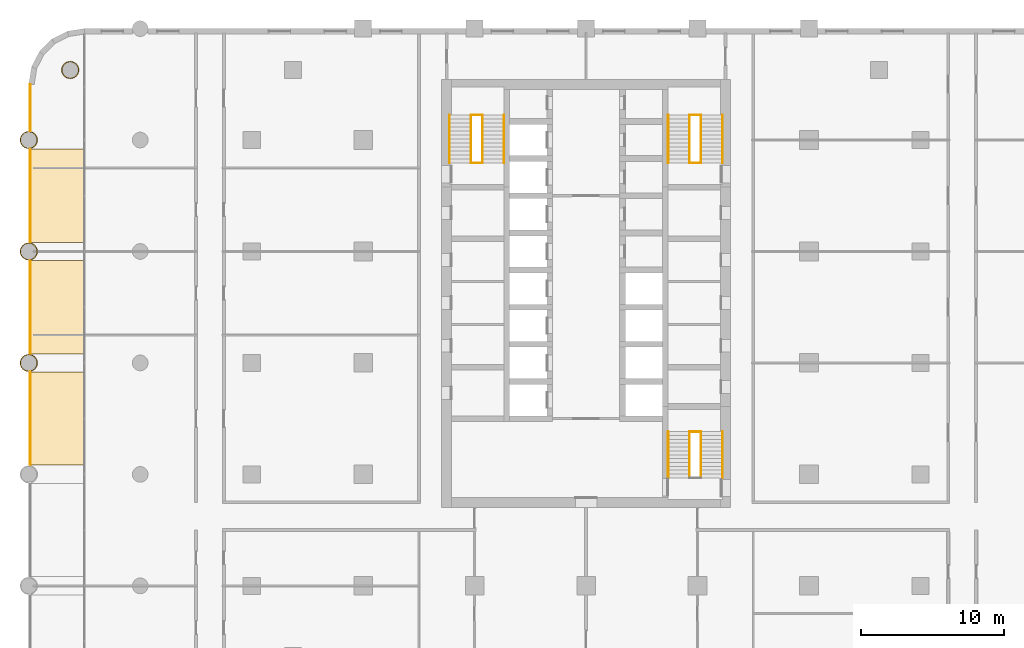
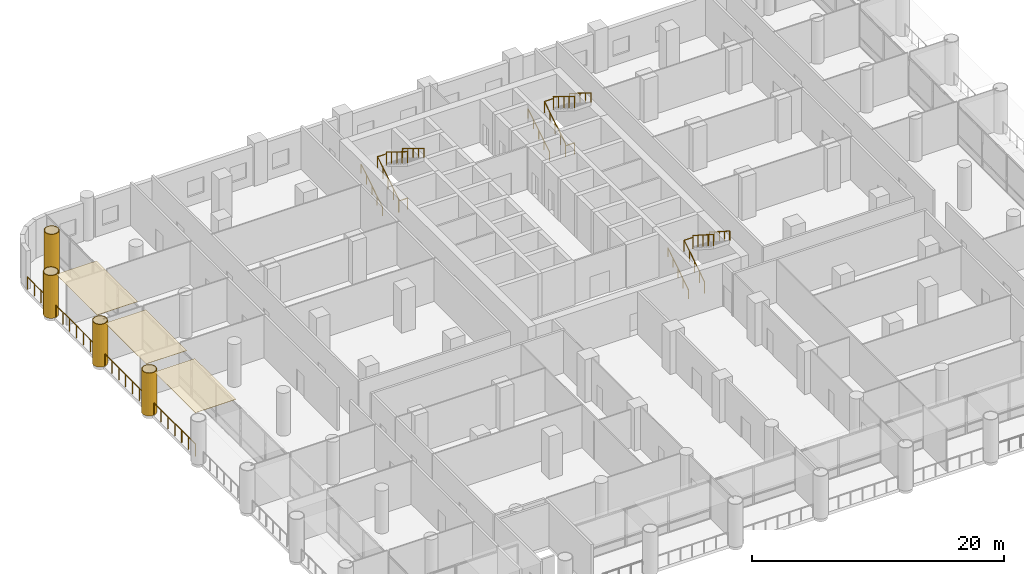
# One storey, part 21 of 23: 21 railings, 7 coverings, 3 elements without a shape of their own.
"""IFC4 building model written with IfcOpenShell, lengths in metres."""

from ifc_helpers import new_model, si_unit, direction, frame, origin, origin_2d, place, context, subcontext, project, spatial, polyline, rectangle, circle, outline, extrude, material, layer, layer_set, type_object, element, aggregate, save


model = new_model("IFC4")

# Units and contexts
model_context = context("Model", 3, precision=1e-05, world=origin(), true_north=direction((0.0, 1.0)))
body_context = subcontext(model_context, "Body", "Model", "MODEL_VIEW")
ifc_project = project(units=[si_unit("LENGTHUNIT", "METRE"), si_unit("AREAUNIT", "SQUARE_METRE"), si_unit("VOLUMEUNIT", "CUBIC_METRE"), si_unit("PLANEANGLEUNIT", "RADIAN"), si_unit("MASSUNIT", "GRAM", prefix="KILO")], contexts=[model_context])

# Site, building, storey
site_placement = place(None, origin())
site = spatial("IfcSite", under=ifc_project, at=site_placement, CompositionType="ELEMENT")
building_placement = place(site_placement, origin())
building = spatial("IfcBuilding", under=site, at=building_placement, Name="Ludao Terraces", CompositionType="ELEMENT")
storey_placement = place(building_placement, frame((0.0, 0.0, 10.5)))
storey = spatial("IfcBuildingStorey", under=building, at=storey_placement, Name="L02", CompositionType="ELEMENT", Elevation=10.5)

# Coverings
ifc_material_1 = material(Name="Stone-effect cement board ceiling lining", Category="masonry")
ifc_layer_1 = layer(ifc_material_1, 0.030029296875)
ifc_layer_set_1 = layer_set([ifc_layer_1], Name="ENV Arcade ceiling lining 30")
covering_type_1 = type_object("IfcCoveringType", Name="ENV Arcade ceiling lining 30", PredefinedType="CEILING", material=ifc_layer_set_1)
for number, where, z_axis, x_axis, name in (
    (1, (47.9599609375, 61.10009765625, 4.169921875), (0.0, 0.0, 1.0), (1.0, 0.0, 0.0), "CL-L02-W4"),
    (2, (47.9599609375, 68.89990234375, 4.169921875), (0.0, 0.0, 1.0), (1.0, 0.0, 0.0), "CL-L02-W5"),
    (3, (47.9599609375, 76.699951171875, 4.169921875), (0.0, 0.0, 1.0), (1.0, 0.0, 0.0), "CL-L02-W6"),
):
    element("IfcCovering", number, at=place(storey_placement, frame(where, z_axis=z_axis, x_axis=x_axis)), inside=storey, type_object=covering_type_1, Name=name, PredefinedType="CEILING", context=body_context, shape_type="SweptSolid", body=[
        extrude(rectangle(XDim=3.719970703125, YDim=6.52001953125, at=origin_2d()), origin(), (0.0, 0.0, 1.0), 0.030029296875),
    ])

# Railings
ifc_material_2 = material(Name="Steel Q235", Category="steel")
railing_type_1 = type_object("IfcRailingType", Name="ENV Open-edge guard 1200", PredefinedType="GUARDRAIL", material=ifc_material_2)
for number, where, name in (
    (4, (46.10009765625, 57.820068359375, 0.0), "Guard L02 W5"),
    (5, (46.10009765625, 65.6201171875, 0.0), "Guard L02 W6"),
):
    element("IfcRailing", number, at=place(storey_placement, frame(where)), inside=storey, type_object=railing_type_1, Name=name, PredefinedType="GUARDRAIL", context=body_context, shape_type="SweptSolid", body=[
        extrude(circle(Radius=0.02392578125, at=origin_2d()), frame((0.0, 0.0, 1.17578125), z_axis=(0.0, 1.0, 0.0), x_axis=(-1.0, 0.0, 0.0)), (0.0, 0.0, 1.0), 6.559814453125),
        extrude(circle(Radius=0.02099609375, at=origin_2d()), origin(), (0.0, 0.0, 1.0), 1.15185546875),
        extrude(circle(Radius=0.02099609375, at=origin_2d()), frame((0.0, 1.09326171875, 0.0)), (0.0, 0.0, 1.0), 1.15185546875),
        extrude(circle(Radius=0.02099609375, at=origin_2d()), frame((0.0, 2.1865234375, 0.0)), (0.0, 0.0, 1.0), 1.15185546875),
        extrude(circle(Radius=0.02099609375, at=origin_2d()), frame((0.0, 3.27978515625, 0.0)), (0.0, 0.0, 1.0), 1.15185546875),
        extrude(circle(Radius=0.02099609375, at=origin_2d()), frame((0.0, 4.373291015625, 0.0)), (0.0, 0.0, 1.0), 1.15185546875),
        extrude(circle(Radius=0.02099609375, at=origin_2d()), frame((0.0, 5.466552734375, 0.0)), (0.0, 0.0, 1.0), 1.15185546875),
        extrude(circle(Radius=0.02099609375, at=origin_2d()), frame((0.0, 6.559814453125, 0.0)), (0.0, 0.0, 1.0), 1.15185546875),
    ])
railing_1_placement = place(storey_placement, frame((46.10009765625, 73.419921875, 0.0)))
element("IfcRailing", 6, at=railing_1_placement, inside=storey, type_object=railing_type_1, Name="Guard L02 W7", PredefinedType="GUARDRAIL", context=body_context, shape_type="SweptSolid", body=[
    extrude(circle(Radius=0.02392578125, at=origin_2d()), frame((0.0, 0.0, 1.17578125), z_axis=(0.0, 1.0, 0.0), x_axis=(-1.0, 0.0, 0.0)), (0.0, 0.0, 1.0), 6.56005859375),
    extrude(circle(Radius=0.02099609375, at=origin_2d()), origin(), (0.0, 0.0, 1.0), 1.15185546875),
    extrude(circle(Radius=0.02099609375, at=origin_2d()), frame((0.0, 1.09326171875, 0.0)), (0.0, 0.0, 1.0), 1.15185546875),
    extrude(circle(Radius=0.02099609375, at=origin_2d()), frame((0.0, 2.186767578125, 0.0)), (0.0, 0.0, 1.0), 1.15185546875),
    extrude(circle(Radius=0.02099609375, at=origin_2d()), frame((0.0, 3.280029296875, 0.0)), (0.0, 0.0, 1.0), 1.15185546875),
    extrude(circle(Radius=0.02099609375, at=origin_2d()), frame((0.0, 4.373291015625, 0.0)), (0.0, 0.0, 1.0), 1.15185546875),
    extrude(circle(Radius=0.02099609375, at=origin_2d()), frame((0.0, 5.466796875, 0.0)), (0.0, 0.0, 1.0), 1.15185546875),
    extrude(circle(Radius=0.02099609375, at=origin_2d()), frame((0.0, 6.56005859375, 0.0)), (0.0, 0.0, 1.0), 1.15185546875),
])
railing_2_placement = place(storey_placement, frame((46.10009765625, 81.219970703125, 0.0)))
element("IfcRailing", 7, at=railing_2_placement, inside=storey, type_object=railing_type_1, Name="Guard L02 W8", PredefinedType="GUARDRAIL", context=body_context, shape_type="SweptSolid", body=[
    extrude(circle(Radius=0.02392578125, at=origin_2d()), frame((0.0, 0.0, 1.17578125), z_axis=(0.0, 1.0, 0.0), x_axis=(-1.0, 0.0, 0.0)), (0.0, 0.0, 1.0), 3.280029296875),
    extrude(circle(Radius=0.02099609375, at=origin_2d()), origin(), (0.0, 0.0, 1.0), 1.15185546875),
    extrude(circle(Radius=0.02099609375, at=origin_2d()), frame((0.0, 1.09326171875, 0.0)), (0.0, 0.0, 1.0), 1.15185546875),
    extrude(circle(Radius=0.02099609375, at=origin_2d()), frame((0.0, 2.186767578125, 0.0)), (0.0, 0.0, 1.0), 1.15185546875),
    extrude(circle(Radius=0.02099609375, at=origin_2d()), frame((0.0, 3.280029296875, 0.0)), (0.0, 0.0, 1.0), 1.15185546875),
])

# Coverings
ifc_material_3 = material(Name="Granite cladding", Category="masonry")
ifc_layer_2 = layer(ifc_material_3, 0.06005859375)
ifc_layer_set_2 = layer_set([ifc_layer_2], Name="ENV Stone column casing 60")
covering_type_2 = type_object("IfcCoveringType", Name="ENV Stone column casing 60", PredefinedType="CLADDING", material=ifc_layer_set_2)
covering_1_placement = place(storey_placement, origin())
element("IfcCovering", 8, at=covering_1_placement, inside=storey, type_object=covering_type_2, Name="CC-L02-G-156x0234", PredefinedType="CLADDING", context=body_context, shape_type="SweptSolid", body=[
    extrude(outline(polyline([(46.61474609375, 65.0), (46.59375, 65.1591796875), (46.532470703125, 65.307373046875), (46.4345703125, 65.4345703125), (46.307373046875, 65.532470703125), (46.1591796875, 65.59375), (46.0, 65.61474609375), (45.8408203125, 65.59375), (45.692626953125, 65.532470703125), (45.5654296875, 65.4345703125), (45.467529296875, 65.307373046875), (45.40625, 65.1591796875), (45.38525390625, 65.0), (45.40625, 64.8408203125), (45.467529296875, 64.692626953125), (45.5654296875, 64.5654296875), (45.692626953125, 64.467529296875), (45.8408203125, 64.40625), (46.0, 64.38525390625), (46.1591796875, 64.40625), (46.307373046875, 64.467529296875), (46.4345703125, 64.5654296875), (46.532470703125, 64.692626953125), (46.59375, 64.8408203125), (46.61474609375, 65.0)]), holes=[polyline([(46.535888671875, 64.8564453125), (46.48046875, 64.72265625), (46.392333984375, 64.607666015625), (46.27734375, 64.51953125), (46.1435546875, 64.464111328125), (46.0, 64.4453125), (45.8564453125, 64.464111328125), (45.72265625, 64.51953125), (45.607666015625, 64.607666015625), (45.51953125, 64.72265625), (45.464111328125, 64.8564453125), (45.4453125, 65.0), (45.464111328125, 65.1435546875), (45.51953125, 65.27734375), (45.607666015625, 65.392333984375), (45.72265625, 65.48046875), (45.8564453125, 65.535888671875), (46.0, 65.5546875), (46.1435546875, 65.535888671875), (46.27734375, 65.48046875), (46.392333984375, 65.392333984375), (46.48046875, 65.27734375), (46.535888671875, 65.1435546875), (46.5546875, 65.0), (46.535888671875, 64.8564453125)])]), origin(), (0.0, 0.0, 1.0), 4.14990234375),
])
covering_2_placement = place(storey_placement, origin())
element("IfcCovering", 9, at=covering_2_placement, inside=storey, type_object=covering_type_2, Name="CC-L02-G-156x0312", PredefinedType="CLADDING", context=body_context, shape_type="SweptSolid", body=[
    extrude(outline(polyline([(46.61474609375, 72.800048828125), (46.59375, 72.959228515625), (46.532470703125, 73.107421875), (46.4345703125, 73.234619140625), (46.307373046875, 73.332275390625), (46.1591796875, 73.393798828125), (46.0, 73.414794921875), (45.8408203125, 73.393798828125), (45.692626953125, 73.332275390625), (45.5654296875, 73.234619140625), (45.467529296875, 73.107421875), (45.40625, 72.959228515625), (45.38525390625, 72.800048828125), (45.40625, 72.640869140625), (45.467529296875, 72.49267578125), (45.5654296875, 72.365234375), (45.692626953125, 72.267578125), (45.8408203125, 72.206298828125), (46.0, 72.185302734375), (46.1591796875, 72.206298828125), (46.307373046875, 72.267578125), (46.4345703125, 72.365234375), (46.532470703125, 72.49267578125), (46.59375, 72.640869140625), (46.61474609375, 72.800048828125)]), holes=[polyline([(46.535888671875, 72.656494140625), (46.48046875, 72.522705078125), (46.392333984375, 72.40771484375), (46.27734375, 72.319580078125), (46.1435546875, 72.26416015625), (46.0, 72.245361328125), (45.8564453125, 72.26416015625), (45.72265625, 72.319580078125), (45.607666015625, 72.40771484375), (45.51953125, 72.522705078125), (45.464111328125, 72.656494140625), (45.4453125, 72.800048828125), (45.464111328125, 72.943603515625), (45.51953125, 73.077392578125), (45.607666015625, 73.1923828125), (45.72265625, 73.280517578125), (45.8564453125, 73.3359375), (46.0, 73.354736328125), (46.1435546875, 73.3359375), (46.27734375, 73.280517578125), (46.392333984375, 73.1923828125), (46.48046875, 73.077392578125), (46.535888671875, 72.943603515625), (46.5546875, 72.800048828125), (46.535888671875, 72.656494140625)])]), origin(), (0.0, 0.0, 1.0), 4.14990234375),
])
covering_3_placement = place(storey_placement, origin())
element("IfcCovering", 10, at=covering_3_placement, inside=storey, type_object=covering_type_2, Name="CC-L02-G-156x0390", PredefinedType="CLADDING", context=body_context, shape_type="SweptSolid", body=[
    extrude(outline(polyline([(46.61474609375, 80.60009765625), (46.59375, 80.759033203125), (46.532470703125, 80.907470703125), (46.4345703125, 81.03466796875), (46.307373046875, 81.13232421875), (46.1591796875, 81.19384765625), (46.0, 81.21484375), (45.8408203125, 81.19384765625), (45.692626953125, 81.13232421875), (45.5654296875, 81.03466796875), (45.467529296875, 80.907470703125), (45.40625, 80.759033203125), (45.38525390625, 80.60009765625), (45.40625, 80.44091796875), (45.467529296875, 80.292724609375), (45.5654296875, 80.165283203125), (45.692626953125, 80.067626953125), (45.8408203125, 80.006103515625), (46.0, 79.9853515625), (46.1591796875, 80.006103515625), (46.307373046875, 80.067626953125), (46.4345703125, 80.165283203125), (46.532470703125, 80.292724609375), (46.59375, 80.44091796875), (46.61474609375, 80.60009765625)]), holes=[polyline([(46.535888671875, 80.45654296875), (46.48046875, 80.322509765625), (46.392333984375, 80.207763671875), (46.27734375, 80.11962890625), (46.1435546875, 80.064208984375), (46.0, 80.045166015625), (45.8564453125, 80.064208984375), (45.72265625, 80.11962890625), (45.607666015625, 80.207763671875), (45.51953125, 80.322509765625), (45.464111328125, 80.45654296875), (45.4453125, 80.60009765625), (45.464111328125, 80.74365234375), (45.51953125, 80.87744140625), (45.607666015625, 80.9921875), (45.72265625, 81.080322265625), (45.8564453125, 81.1357421875), (46.0, 81.15478515625), (46.1435546875, 81.1357421875), (46.27734375, 81.080322265625), (46.392333984375, 80.9921875), (46.48046875, 80.87744140625), (46.535888671875, 80.74365234375), (46.5546875, 80.60009765625), (46.535888671875, 80.45654296875)])]), origin(), (0.0, 0.0, 1.0), 4.14990234375),
])
covering_4_placement = place(storey_placement, origin())
element("IfcCovering", 11, at=covering_4_placement, inside=storey, type_object=covering_type_2, Name="CC-L02-G-127x0439", PredefinedType="CLADDING", context=body_context, shape_type="SweptSolid", body=[
    extrude(outline(polyline([(49.5146484375, 85.5), (49.493896484375, 85.6591796875), (49.432373046875, 85.807373046875), (49.334716796875, 85.9345703125), (49.207275390625, 86.032470703125), (49.05908203125, 86.09375), (48.89990234375, 86.11474609375), (48.740966796875, 86.09375), (48.592529296875, 86.032470703125), (48.46533203125, 85.9345703125), (48.36767578125, 85.807373046875), (48.30615234375, 85.6591796875), (48.28515625, 85.5), (48.30615234375, 85.3408203125), (48.36767578125, 85.192626953125), (48.46533203125, 85.0654296875), (48.592529296875, 84.967529296875), (48.740966796875, 84.90625), (48.89990234375, 84.88525390625), (49.05908203125, 84.90625), (49.207275390625, 84.967529296875), (49.334716796875, 85.0654296875), (49.432373046875, 85.192626953125), (49.493896484375, 85.3408203125), (49.5146484375, 85.5)]), holes=[polyline([(49.435791015625, 85.3564453125), (49.38037109375, 85.22265625), (49.292236328125, 85.107666015625), (49.177490234375, 85.01953125), (49.04345703125, 84.964111328125), (48.89990234375, 84.9453125), (48.75634765625, 84.964111328125), (48.62255859375, 85.01953125), (48.5078125, 85.107666015625), (48.419677734375, 85.22265625), (48.3642578125, 85.3564453125), (48.34521484375, 85.5), (48.3642578125, 85.6435546875), (48.419677734375, 85.77734375), (48.5078125, 85.892333984375), (48.62255859375, 85.98046875), (48.75634765625, 86.035888671875), (48.89990234375, 86.0546875), (49.04345703125, 86.035888671875), (49.177490234375, 85.98046875), (49.292236328125, 85.892333984375), (49.38037109375, 85.77734375), (49.435791015625, 85.6435546875), (49.454833984375, 85.5), (49.435791015625, 85.3564453125)])]), origin(), (0.0, 0.0, 1.0), 4.14990234375),
])

# Stair, railings
ifc_material_4 = material(Name="Concrete C40", Category="concrete")
stair_type = type_object("IfcStairType", Name="INT Stair", PredefinedType="HALF_TURN_STAIR", material=ifc_material_4)
stair_1_placement = place(storey_placement, origin())
stair_1 = element("IfcStair", 12, at=stair_1_placement, inside=storey, type_object=stair_type, Name="EXIT STAIR 1", PredefinedType="HALF_TURN_STAIR")
ifc_material_5 = material(Name="Stainless steel 304", Category="steel")
railing_type_2 = type_object("IfcRailingType", Name="INT Stair guard 1100", PredefinedType="GUARDRAIL", material=ifc_material_5)
railing_3_placement = place(storey_placement, frame((76.949951171875, 79.0, 0.173095703125)))
railing_3 = element("IfcRailing", 13, at=railing_3_placement, type_object=railing_type_2, Name="ST-L02-S1-R1G", PredefinedType="GUARDRAIL", context=body_context, shape_type="SweptSolid", body=[
    extrude(circle(Radius=0.02392578125, at=origin_2d()), frame((0.0, 0.0, 1.076171875), z_axis=(0.0, 0.850623216509, 0.525775754039), x_axis=(-1.0, 0.0, 0.0)), (0.0, 0.0, 1.0), 3.9501953125),
    extrude(circle(Radius=0.02099609375, at=origin_2d()), origin(), (0.0, 0.0, 1.0), 1.052001953125),
    extrude(circle(Radius=0.02099609375, at=origin_2d()), frame((0.0, 0.840087890625, 0.519287109375)), (0.0, 0.0, 1.0), 1.052001953125),
    extrude(circle(Radius=0.02099609375, at=origin_2d()), frame((0.0, 1.68017578125, 1.03857421875)), (0.0, 0.0, 1.0), 1.052001953125),
    extrude(circle(Radius=0.02099609375, at=origin_2d()), frame((0.0, 2.52001953125, 1.5576171875)), (0.0, 0.0, 1.0), 1.052001953125),
    extrude(circle(Radius=0.02099609375, at=origin_2d()), frame((0.0, 3.360107421875, 2.076904296875)), (0.0, 0.0, 1.0), 1.052001953125),
])
railing_4_placement = place(storey_placement, frame((77.75, 82.360107421875, 2.423095703125)))
railing_4 = element("IfcRailing", 14, at=railing_4_placement, type_object=railing_type_2, Name="ST-L02-S1-R2G", PredefinedType="GUARDRAIL", context=body_context, shape_type="SweptSolid", body=[
    extrude(circle(Radius=0.02392578125, at=origin_2d()), frame((0.0, 0.0, 1.076171875), z_axis=(0.0, -0.850623216509, 0.525775754039), x_axis=(1.0, 0.0, 0.0)), (0.0, 0.0, 1.0), 3.9501953125),
    extrude(circle(Radius=0.02099609375, at=origin_2d()), origin(), (0.0, 0.0, 1.0), 1.052001953125),
    extrude(circle(Radius=0.02099609375, at=origin_2d()), frame((0.0, -0.840087890625, 0.519287109375)), (0.0, 0.0, 1.0), 1.052001953125),
    extrude(circle(Radius=0.02099609375, at=origin_2d()), frame((0.0, -1.68017578125, 1.03857421875)), (0.0, 0.0, 1.0), 1.052001953125),
    extrude(circle(Radius=0.02099609375, at=origin_2d()), frame((0.0, -2.52001953125, 1.5576171875)), (0.0, 0.0, 1.0), 1.052001953125),
    extrude(circle(Radius=0.02099609375, at=origin_2d()), frame((0.0, -3.360107421875, 2.076904296875)), (0.0, 0.0, 1.0), 1.052001953125),
])
railing_5_placement = place(storey_placement, frame((76.949951171875, 82.360107421875, 2.25)))
railing_5 = element("IfcRailing", 15, at=railing_5_placement, type_object=railing_type_2, Name="ST-L02-S1-E1G", PredefinedType="GUARDRAIL", context=body_context, shape_type="SweptSolid", body=[
    extrude(circle(Radius=0.02392578125, at=origin_2d()), frame((0.0, 0.0, 1.076171875), z_axis=(1.0, 0.0, 0.0), x_axis=(0.0, 1.0, 0.0)), (0.0, 0.0, 1.0), 0.800048828125),
    extrude(circle(Radius=0.02099609375, at=origin_2d()), origin(), (0.0, 0.0, 1.0), 1.052001953125),
    extrude(circle(Radius=0.02099609375, at=origin_2d()), frame((0.800048828125, 0.0, 0.0)), (0.0, 0.0, 1.0), 1.052001953125),
])
railing_6_placement = place(storey_placement, frame((76.949951171875, 79.0, 0.0)))
railing_6 = element("IfcRailing", 16, at=railing_6_placement, type_object=railing_type_2, Name="ST-L02-S1-E2G", PredefinedType="GUARDRAIL", context=body_context, shape_type="SweptSolid", body=[
    extrude(circle(Radius=0.02392578125, at=origin_2d()), frame((0.0, 0.0, 1.076171875), z_axis=(1.0, 0.0, 0.0), x_axis=(0.0, 1.0, 0.0)), (0.0, 0.0, 1.0), 0.800048828125),
    extrude(circle(Radius=0.02099609375, at=origin_2d()), origin(), (0.0, 0.0, 1.0), 1.052001953125),
    extrude(circle(Radius=0.02099609375, at=origin_2d()), frame((0.800048828125, 0.0, 0.0)), (0.0, 0.0, 1.0), 1.052001953125),
])

stair_2_placement = place(storey_placement, origin())
stair_2 = element("IfcStair", 17, at=stair_2_placement, inside=storey, type_object=stair_type, Name="EXIT STAIR 2", PredefinedType="HALF_TURN_STAIR")
railing_7_placement = place(storey_placement, frame((92.25, 79.0, 0.173095703125)))
railing_7 = element("IfcRailing", 18, at=railing_7_placement, type_object=railing_type_2, Name="ST-L02-S2-R1G", PredefinedType="GUARDRAIL", context=body_context, shape_type="SweptSolid", body=[
    extrude(circle(Radius=0.02392578125, at=origin_2d()), frame((0.0, 0.0, 1.076171875), z_axis=(0.0, 0.850623216509, 0.525775754039), x_axis=(-1.0, 0.0, 0.0)), (0.0, 0.0, 1.0), 3.9501953125),
    extrude(circle(Radius=0.02099609375, at=origin_2d()), origin(), (0.0, 0.0, 1.0), 1.052001953125),
    extrude(circle(Radius=0.02099609375, at=origin_2d()), frame((0.0, 0.840087890625, 0.519287109375)), (0.0, 0.0, 1.0), 1.052001953125),
    extrude(circle(Radius=0.02099609375, at=origin_2d()), frame((0.0, 1.68017578125, 1.03857421875)), (0.0, 0.0, 1.0), 1.052001953125),
    extrude(circle(Radius=0.02099609375, at=origin_2d()), frame((0.0, 2.52001953125, 1.5576171875)), (0.0, 0.0, 1.0), 1.052001953125),
    extrude(circle(Radius=0.02099609375, at=origin_2d()), frame((0.0, 3.360107421875, 2.076904296875)), (0.0, 0.0, 1.0), 1.052001953125),
])
railing_8_placement = place(storey_placement, frame((93.050048828125, 82.360107421875, 2.423095703125)))
railing_8 = element("IfcRailing", 19, at=railing_8_placement, type_object=railing_type_2, Name="ST-L02-S2-R2G", PredefinedType="GUARDRAIL", context=body_context, shape_type="SweptSolid", body=[
    extrude(circle(Radius=0.02392578125, at=origin_2d()), frame((0.0, 0.0, 1.076171875), z_axis=(0.0, -0.850623216509, 0.525775754039), x_axis=(1.0, 0.0, 0.0)), (0.0, 0.0, 1.0), 3.9501953125),
    extrude(circle(Radius=0.02099609375, at=origin_2d()), origin(), (0.0, 0.0, 1.0), 1.052001953125),
    extrude(circle(Radius=0.02099609375, at=origin_2d()), frame((0.0, -0.840087890625, 0.519287109375)), (0.0, 0.0, 1.0), 1.052001953125),
    extrude(circle(Radius=0.02099609375, at=origin_2d()), frame((0.0, -1.68017578125, 1.03857421875)), (0.0, 0.0, 1.0), 1.052001953125),
    extrude(circle(Radius=0.02099609375, at=origin_2d()), frame((0.0, -2.52001953125, 1.5576171875)), (0.0, 0.0, 1.0), 1.052001953125),
    extrude(circle(Radius=0.02099609375, at=origin_2d()), frame((0.0, -3.360107421875, 2.076904296875)), (0.0, 0.0, 1.0), 1.052001953125),
])
railing_9_placement = place(storey_placement, frame((92.25, 82.360107421875, 2.25)))
railing_9 = element("IfcRailing", 20, at=railing_9_placement, type_object=railing_type_2, Name="ST-L02-S2-E1G", PredefinedType="GUARDRAIL", context=body_context, shape_type="SweptSolid", body=[
    extrude(circle(Radius=0.02392578125, at=origin_2d()), frame((0.0, 0.0, 1.076171875), z_axis=(1.0, 0.0, 0.0), x_axis=(0.0, 1.0, 0.0)), (0.0, 0.0, 1.0), 0.800048828125),
    extrude(circle(Radius=0.02099609375, at=origin_2d()), origin(), (0.0, 0.0, 1.0), 1.052001953125),
    extrude(circle(Radius=0.02099609375, at=origin_2d()), frame((0.800048828125, 0.0, 0.0)), (0.0, 0.0, 1.0), 1.052001953125),
])
railing_10_placement = place(storey_placement, frame((92.25, 79.0, 0.0)))
railing_10 = element("IfcRailing", 21, at=railing_10_placement, type_object=railing_type_2, Name="ST-L02-S2-E2G", PredefinedType="GUARDRAIL", context=body_context, shape_type="SweptSolid", body=[
    extrude(circle(Radius=0.02392578125, at=origin_2d()), frame((0.0, 0.0, 1.076171875), z_axis=(1.0, 0.0, 0.0), x_axis=(0.0, 1.0, 0.0)), (0.0, 0.0, 1.0), 0.800048828125),
    extrude(circle(Radius=0.02099609375, at=origin_2d()), origin(), (0.0, 0.0, 1.0), 1.052001953125),
    extrude(circle(Radius=0.02099609375, at=origin_2d()), frame((0.800048828125, 0.0, 0.0)), (0.0, 0.0, 1.0), 1.052001953125),
])

stair_3_placement = place(storey_placement, origin())
stair_3 = element("IfcStair", 22, at=stair_3_placement, inside=storey, type_object=stair_type, Name="EXIT STAIR 3", PredefinedType="HALF_TURN_STAIR")
railing_11_placement = place(storey_placement, frame((92.25, 56.949951171875, 0.173095703125)))
railing_11 = element("IfcRailing", 23, at=railing_11_placement, type_object=railing_type_2, Name="ST-L02-S3-R1G", PredefinedType="GUARDRAIL", context=body_context, shape_type="SweptSolid", body=[
    extrude(circle(Radius=0.02392578125, at=origin_2d()), frame((0.0, 0.0, 1.076171875), z_axis=(0.0, 0.841880617004, 0.539663808971), x_axis=(-1.0, 0.0, 0.0)), (0.0, 0.0, 1.0), 3.8486328125),
    extrude(circle(Radius=0.02099609375, at=origin_2d()), origin(), (0.0, 0.0, 1.0), 1.052001953125),
    extrude(circle(Radius=0.02099609375, at=origin_2d()), frame((0.0, 0.81005859375, 0.519287109375)), (0.0, 0.0, 1.0), 1.052001953125),
    extrude(circle(Radius=0.02099609375, at=origin_2d()), frame((0.0, 1.6201171875, 1.03857421875)), (0.0, 0.0, 1.0), 1.052001953125),
    extrude(circle(Radius=0.02099609375, at=origin_2d()), frame((0.0, 2.429931640625, 1.5576171875)), (0.0, 0.0, 1.0), 1.052001953125),
    extrude(circle(Radius=0.02099609375, at=origin_2d()), frame((0.0, 3.239990234375, 2.076904296875)), (0.0, 0.0, 1.0), 1.052001953125),
])
railing_12_placement = place(storey_placement, frame((93.050048828125, 60.18994140625, 2.423095703125)))
railing_12 = element("IfcRailing", 24, at=railing_12_placement, type_object=railing_type_2, Name="ST-L02-S3-R2G", PredefinedType="GUARDRAIL", context=body_context, shape_type="SweptSolid", body=[
    extrude(circle(Radius=0.02392578125, at=origin_2d()), frame((0.0, 0.0, 1.076171875), z_axis=(0.0, -0.841880617004, 0.539663808971), x_axis=(1.0, 0.0, 0.0)), (0.0, 0.0, 1.0), 3.8486328125),
    extrude(circle(Radius=0.02099609375, at=origin_2d()), origin(), (0.0, 0.0, 1.0), 1.052001953125),
    extrude(circle(Radius=0.02099609375, at=origin_2d()), frame((0.0, -0.81005859375, 0.519287109375)), (0.0, 0.0, 1.0), 1.052001953125),
    extrude(circle(Radius=0.02099609375, at=origin_2d()), frame((0.0, -1.6201171875, 1.03857421875)), (0.0, 0.0, 1.0), 1.052001953125),
    extrude(circle(Radius=0.02099609375, at=origin_2d()), frame((0.0, -2.429931640625, 1.5576171875)), (0.0, 0.0, 1.0), 1.052001953125),
    extrude(circle(Radius=0.02099609375, at=origin_2d()), frame((0.0, -3.239990234375, 2.076904296875)), (0.0, 0.0, 1.0), 1.052001953125),
])
railing_13_placement = place(storey_placement, frame((92.25, 60.18994140625, 2.25)))
railing_13 = element("IfcRailing", 25, at=railing_13_placement, type_object=railing_type_2, Name="ST-L02-S3-E1G", PredefinedType="GUARDRAIL", context=body_context, shape_type="SweptSolid", body=[
    extrude(circle(Radius=0.02392578125, at=origin_2d()), frame((0.0, 0.0, 1.076171875), z_axis=(1.0, 0.0, 0.0), x_axis=(0.0, 1.0, 0.0)), (0.0, 0.0, 1.0), 0.800048828125),
    extrude(circle(Radius=0.02099609375, at=origin_2d()), origin(), (0.0, 0.0, 1.0), 1.052001953125),
    extrude(circle(Radius=0.02099609375, at=origin_2d()), frame((0.800048828125, 0.0, 0.0)), (0.0, 0.0, 1.0), 1.052001953125),
])

# Railing
railing_type_3 = type_object("IfcRailingType", Name="INT Stair handrail 900", PredefinedType="HANDRAIL", material=ifc_material_5)
railing_14_placement = place(storey_placement, frame((75.449951171875, 79.0, 0.173095703125)))
railing_14 = element("IfcRailing", 26, at=railing_14_placement, type_object=railing_type_3, Name="ST-L02-S1-R1H", PredefinedType="HANDRAIL", context=body_context, shape_type="SweptSolid", body=[
    extrude(circle(Radius=0.02392578125, at=origin_2d()), frame((0.0, 0.0, 0.8759765625), z_axis=(0.0, 0.850623216509, 0.525775754039), x_axis=(-1.0, 0.0, 0.0)), (0.0, 0.0, 1.0), 3.9501953125),
    extrude(circle(Radius=0.02099609375, at=origin_2d()), origin(), (0.0, 0.0, 1.0), 0.851806640625),
    extrude(circle(Radius=0.02099609375, at=origin_2d()), frame((0.0, 0.840087890625, 0.519287109375)), (0.0, 0.0, 1.0), 0.851806640625),
    extrude(circle(Radius=0.02099609375, at=origin_2d()), frame((0.0, 1.68017578125, 1.03857421875)), (0.0, 0.0, 1.0), 0.851806640625),
    extrude(circle(Radius=0.02099609375, at=origin_2d()), frame((0.0, 2.52001953125, 1.5576171875)), (0.0, 0.0, 1.0), 0.851806640625),
    extrude(circle(Radius=0.02099609375, at=origin_2d()), frame((0.0, 3.360107421875, 2.076904296875)), (0.0, 0.0, 1.0), 0.851806640625),
])

railing_15_placement = place(storey_placement, frame((79.25, 82.360107421875, 2.423095703125)))
railing_15 = element("IfcRailing", 27, at=railing_15_placement, type_object=railing_type_3, Name="ST-L02-S1-R2H", PredefinedType="HANDRAIL", context=body_context, shape_type="SweptSolid", body=[
    extrude(circle(Radius=0.02392578125, at=origin_2d()), frame((0.0, 0.0, 0.8759765625), z_axis=(0.0, -0.850623216509, 0.525775754039), x_axis=(1.0, 0.0, 0.0)), (0.0, 0.0, 1.0), 3.9501953125),
    extrude(circle(Radius=0.02099609375, at=origin_2d()), origin(), (0.0, 0.0, 1.0), 0.851806640625),
    extrude(circle(Radius=0.02099609375, at=origin_2d()), frame((0.0, -0.840087890625, 0.519287109375)), (0.0, 0.0, 1.0), 0.851806640625),
    extrude(circle(Radius=0.02099609375, at=origin_2d()), frame((0.0, -1.68017578125, 1.03857421875)), (0.0, 0.0, 1.0), 0.851806640625),
    extrude(circle(Radius=0.02099609375, at=origin_2d()), frame((0.0, -2.52001953125, 1.5576171875)), (0.0, 0.0, 1.0), 0.851806640625),
    extrude(circle(Radius=0.02099609375, at=origin_2d()), frame((0.0, -3.360107421875, 2.076904296875)), (0.0, 0.0, 1.0), 0.851806640625),
])

aggregate(stair_1, [railing_3, railing_14, railing_4, railing_15, railing_5, railing_6])

railing_16_placement = place(storey_placement, frame((90.75, 79.0, 0.173095703125)))
railing_16 = element("IfcRailing", 28, at=railing_16_placement, type_object=railing_type_3, Name="ST-L02-S2-R1H", PredefinedType="HANDRAIL", context=body_context, shape_type="SweptSolid", body=[
    extrude(circle(Radius=0.02392578125, at=origin_2d()), frame((0.0, 0.0, 0.8759765625), z_axis=(0.0, 0.850623216509, 0.525775754039), x_axis=(-1.0, 0.0, 0.0)), (0.0, 0.0, 1.0), 3.9501953125),
    extrude(circle(Radius=0.02099609375, at=origin_2d()), origin(), (0.0, 0.0, 1.0), 0.851806640625),
    extrude(circle(Radius=0.02099609375, at=origin_2d()), frame((0.0, 0.840087890625, 0.519287109375)), (0.0, 0.0, 1.0), 0.851806640625),
    extrude(circle(Radius=0.02099609375, at=origin_2d()), frame((0.0, 1.68017578125, 1.03857421875)), (0.0, 0.0, 1.0), 0.851806640625),
    extrude(circle(Radius=0.02099609375, at=origin_2d()), frame((0.0, 2.52001953125, 1.5576171875)), (0.0, 0.0, 1.0), 0.851806640625),
    extrude(circle(Radius=0.02099609375, at=origin_2d()), frame((0.0, 3.360107421875, 2.076904296875)), (0.0, 0.0, 1.0), 0.851806640625),
])

railing_17_placement = place(storey_placement, frame((94.550048828125, 82.360107421875, 2.423095703125)))
railing_17 = element("IfcRailing", 29, at=railing_17_placement, type_object=railing_type_3, Name="ST-L02-S2-R2H", PredefinedType="HANDRAIL", context=body_context, shape_type="SweptSolid", body=[
    extrude(circle(Radius=0.02392578125, at=origin_2d()), frame((0.0, 0.0, 0.8759765625), z_axis=(0.0, -0.850623216509, 0.525775754039), x_axis=(1.0, 0.0, 0.0)), (0.0, 0.0, 1.0), 3.9501953125),
    extrude(circle(Radius=0.02099609375, at=origin_2d()), origin(), (0.0, 0.0, 1.0), 0.851806640625),
    extrude(circle(Radius=0.02099609375, at=origin_2d()), frame((0.0, -0.840087890625, 0.519287109375)), (0.0, 0.0, 1.0), 0.851806640625),
    extrude(circle(Radius=0.02099609375, at=origin_2d()), frame((0.0, -1.68017578125, 1.03857421875)), (0.0, 0.0, 1.0), 0.851806640625),
    extrude(circle(Radius=0.02099609375, at=origin_2d()), frame((0.0, -2.52001953125, 1.5576171875)), (0.0, 0.0, 1.0), 0.851806640625),
    extrude(circle(Radius=0.02099609375, at=origin_2d()), frame((0.0, -3.360107421875, 2.076904296875)), (0.0, 0.0, 1.0), 0.851806640625),
])

aggregate(stair_2, [railing_7, railing_16, railing_8, railing_17, railing_9, railing_10])

railing_18_placement = place(storey_placement, frame((90.75, 56.949951171875, 0.173095703125)))
railing_18 = element("IfcRailing", 30, at=railing_18_placement, type_object=railing_type_3, Name="ST-L02-S3-R1H", PredefinedType="HANDRAIL", context=body_context, shape_type="SweptSolid", body=[
    extrude(circle(Radius=0.02392578125, at=origin_2d()), frame((0.0, 0.0, 0.8759765625), z_axis=(0.0, 0.841880617004, 0.539663808971), x_axis=(-1.0, 0.0, 0.0)), (0.0, 0.0, 1.0), 3.8486328125),
    extrude(circle(Radius=0.02099609375, at=origin_2d()), origin(), (0.0, 0.0, 1.0), 0.851806640625),
    extrude(circle(Radius=0.02099609375, at=origin_2d()), frame((0.0, 0.81005859375, 0.519287109375)), (0.0, 0.0, 1.0), 0.851806640625),
    extrude(circle(Radius=0.02099609375, at=origin_2d()), frame((0.0, 1.6201171875, 1.03857421875)), (0.0, 0.0, 1.0), 0.851806640625),
    extrude(circle(Radius=0.02099609375, at=origin_2d()), frame((0.0, 2.429931640625, 1.5576171875)), (0.0, 0.0, 1.0), 0.851806640625),
    extrude(circle(Radius=0.02099609375, at=origin_2d()), frame((0.0, 3.239990234375, 2.076904296875)), (0.0, 0.0, 1.0), 0.851806640625),
])

railing_19_placement = place(storey_placement, frame((94.550048828125, 60.18994140625, 2.423095703125)))
railing_19 = element("IfcRailing", 31, at=railing_19_placement, type_object=railing_type_3, Name="ST-L02-S3-R2H", PredefinedType="HANDRAIL", context=body_context, shape_type="SweptSolid", body=[
    extrude(circle(Radius=0.02392578125, at=origin_2d()), frame((0.0, 0.0, 0.8759765625), z_axis=(0.0, -0.841880617004, 0.539663808971), x_axis=(1.0, 0.0, 0.0)), (0.0, 0.0, 1.0), 3.8486328125),
    extrude(circle(Radius=0.02099609375, at=origin_2d()), origin(), (0.0, 0.0, 1.0), 0.851806640625),
    extrude(circle(Radius=0.02099609375, at=origin_2d()), frame((0.0, -0.81005859375, 0.519287109375)), (0.0, 0.0, 1.0), 0.851806640625),
    extrude(circle(Radius=0.02099609375, at=origin_2d()), frame((0.0, -1.6201171875, 1.03857421875)), (0.0, 0.0, 1.0), 0.851806640625),
    extrude(circle(Radius=0.02099609375, at=origin_2d()), frame((0.0, -2.429931640625, 1.5576171875)), (0.0, 0.0, 1.0), 0.851806640625),
    extrude(circle(Radius=0.02099609375, at=origin_2d()), frame((0.0, -3.239990234375, 2.076904296875)), (0.0, 0.0, 1.0), 0.851806640625),
])

aggregate(stair_3, [railing_11, railing_18, railing_12, railing_19, railing_13])

save(model, "model.ifc")
